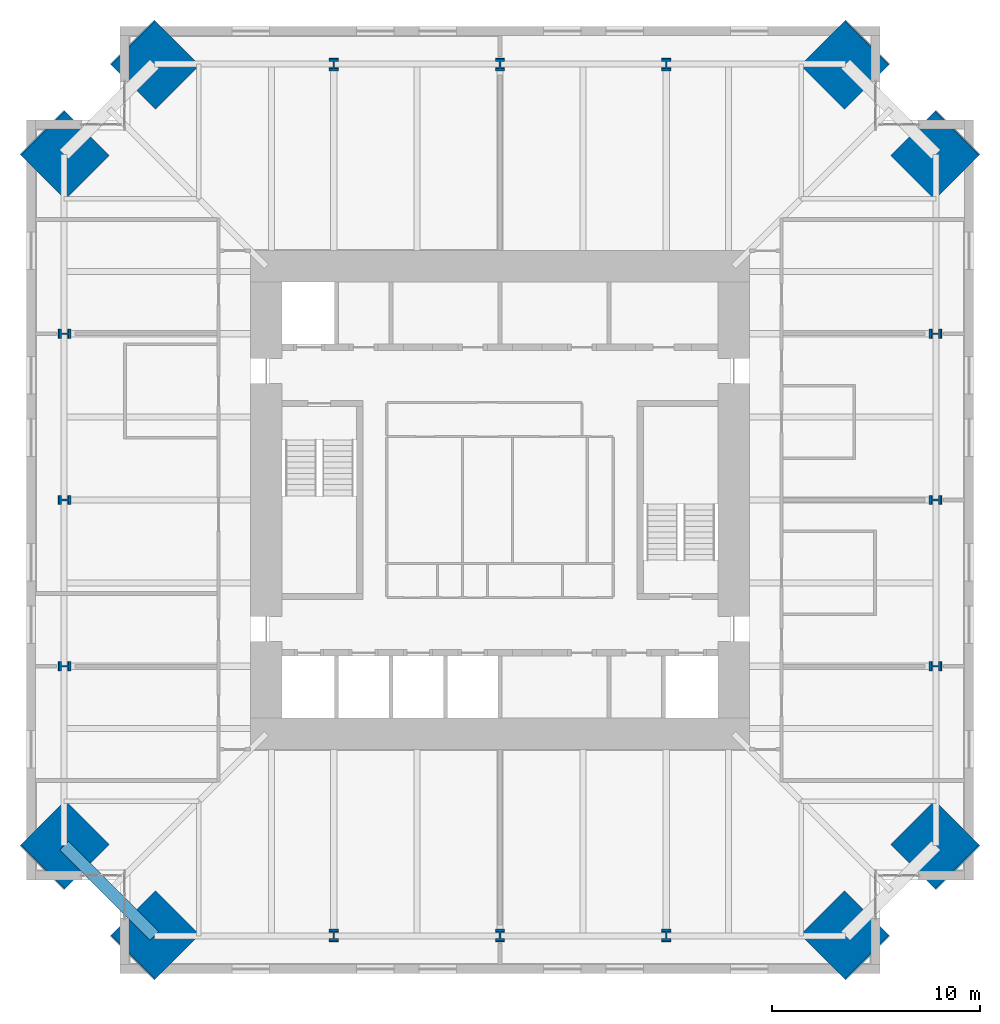
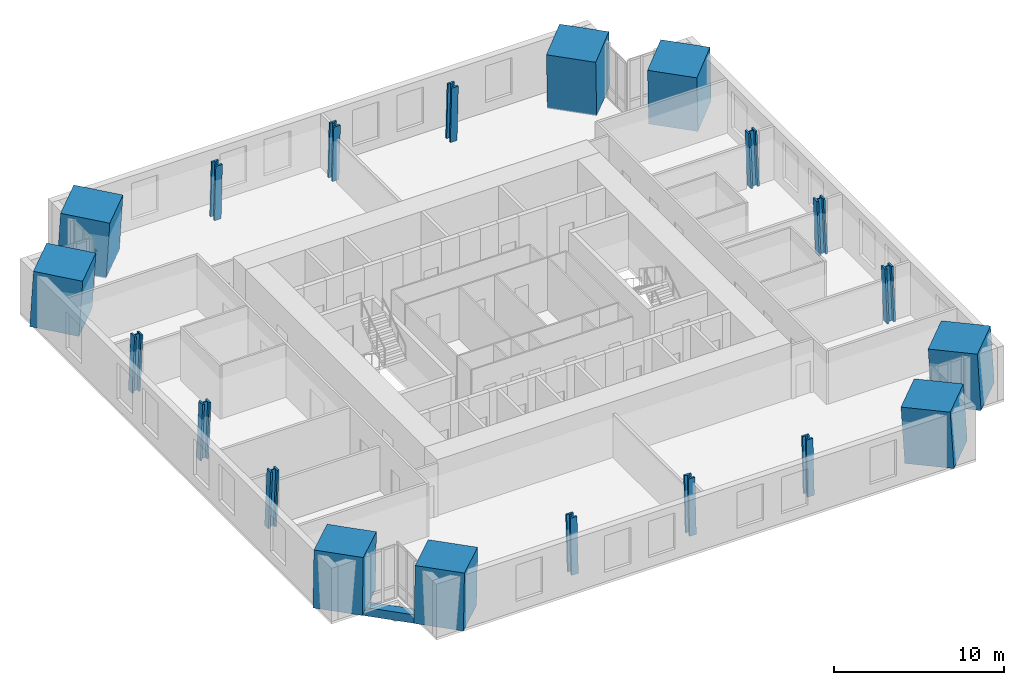
# One storey, part 1 of 15: 20 columns, 1 beam.
"""IFC4 building model written with IfcOpenShell, lengths in metres."""

import ifcopenshell
import ifcopenshell.guid

model = None  # the IFC model being written
_history = None  # IfcOwnerHistory: only IFC2X3 demands one
_inside = {}  # id of a spatial element -> (the spatial element, [elements in it])
_under = {}  # id of a project, library or spatial element -> (it, [spatial elements below it])
_declared = {}  # id of a project -> (the project, [libraries it declares])
_typed = {}  # id of a type object -> (the type object, [elements of that type])
_made_of = {}  # id of a material, layer set ... -> (it, [elements and type objects made of it])


def new_model(schema):
    """Start an empty IFC model of exactly this schema.

    Asked for "IFC4X3", IfcOpenShell would pick the latest addendum, in which some entities
    have other attributes; the version numbers below select the first issue.
    IFC2X3 requires an IfcOwnerHistory on every rooted entity: one is made here for all.
    """
    global model, _history
    if schema == "IFC4X3":
        model = ifcopenshell.file(schema_version=(4, 3, 0, 0))
    else:
        model = ifcopenshell.file(schema=schema)
    _inside.clear()
    _under.clear()
    _declared.clear()
    _typed.clear()
    _made_of.clear()
    _history = None
    if model.schema == "IFC2X3":
        org = make("IfcOrganization", Name="unknown")
        user = make(
            "IfcPersonAndOrganization",
            ThePerson=make("IfcPerson", FamilyName="unknown"),
            TheOrganization=org,
        )
        app = make(
            "IfcApplication",
            ApplicationDeveloper=org,
            Version="unknown",
            ApplicationFullName="unknown",
            ApplicationIdentifier="unknown",
        )
        _history = make(
            "IfcOwnerHistory",
            OwningUser=user,
            OwningApplication=app,
            ChangeAction="ADDED",
            CreationDate=0,
        )
    return model


def make(cls, **values):
    """One entity of the class cls with the attributes given. An attribute that is None is left unset."""
    return model.create_entity(
        cls, **{name: value for name, value in values.items() if value is not None}
    )


def rooted(cls, **values):
    """An entity with a GlobalId (a new one), such as an element, a storey or a relation."""
    return make(cls, GlobalId=ifcopenshell.guid.new(), OwnerHistory=_history, **values)


def si_unit(unit_type, name, prefix=None):
    """IfcSIUnit, for example si_unit("LENGTHUNIT", "METRE", prefix="MILLI")."""
    return make("IfcSIUnit", UnitType=unit_type, Prefix=prefix, Name=name)


def assignment(units):
    """IfcUnitAssignment: the units of a project."""
    return None if units is None else make("IfcUnitAssignment", Units=units)


def point(xyz):
    """IfcCartesianPoint."""
    return None if xyz is None else make("IfcCartesianPoint", Coordinates=xyz)


def direction(xyz):
    """IfcDirection."""
    return None if xyz is None else make("IfcDirection", DirectionRatios=xyz)


def frame(location, z_axis=None, x_axis=None):
    """IfcAxis2Placement3D, a coordinate frame: its origin and axes. An axis left out is left unset."""
    return make(
        "IfcAxis2Placement3D",
        Location=point(location),
        Axis=direction(z_axis),
        RefDirection=direction(x_axis),
    )


def frame_2d(location, x_axis=None):
    """IfcAxis2Placement2D, a coordinate frame in the plane: its origin and x axis."""
    return make(
        "IfcAxis2Placement2D", Location=point(location), RefDirection=direction(x_axis)
    )


def origin():
    """The frame at (0, 0, 0) with its axes left unset."""
    return frame((0.0, 0.0, 0.0))


def origin_2d():
    """The frame at (0, 0) in the plane with its x axis left unset."""
    return frame_2d((0.0, 0.0))


def place(relative_to, where):
    """IfcLocalPlacement: puts the frame where relative to a parent placement (None: the world)."""
    return make(
        "IfcLocalPlacement", PlacementRelTo=relative_to, RelativePlacement=where
    )


def context(
    kind, dimensions, precision=None, world=None, true_north=None, identifier=None
):
    """IfcGeometricRepresentationContext, for example the 3D "Model" context."""
    return make(
        "IfcGeometricRepresentationContext",
        ContextIdentifier=identifier,
        ContextType=kind,
        CoordinateSpaceDimension=dimensions,
        Precision=precision,
        WorldCoordinateSystem=world,
        TrueNorth=true_north,
    )


def subcontext(parent, identifier, kind, view, scale=None):
    """IfcGeometricRepresentationSubContext, for example "Body" below "Model"."""
    return make(
        "IfcGeometricRepresentationSubContext",
        ContextIdentifier=identifier,
        ContextType=kind,
        ParentContext=parent,
        TargetScale=scale,
        TargetView=view,
    )


def project(units=None, contexts=None):
    """IfcProject with its units and contexts."""
    return rooted(
        "IfcProject",
        Name="project",
        RepresentationContexts=contexts,
        UnitsInContext=assignment(units),
    )


def spatial(cls, under=None, at=None, **own):
    """A site, building, storey or space (cls), placed at a placement, below another one or the project."""
    s = rooted(cls, ObjectPlacement=at, **own)
    if under is not None:
        _under.setdefault(under.id(), (under, []))[1].append(s)
    return s


def profile(cls, at=None, kind="AREA", **sizes):
    """A parametric profile (cls). Its sizes go by their IFC names, for example OverallWidth=200.0."""
    return make(cls, ProfileType=kind, Position=at, **sizes)


def rectangle(**sizes):
    """IfcRectangleProfileDef."""
    return profile("IfcRectangleProfileDef", **sizes)


def hollow_rectangle(**sizes):
    """IfcRectangleHollowProfileDef."""
    return profile("IfcRectangleHollowProfileDef", **sizes)


def i_section(**sizes):
    """IfcIShapeProfileDef."""
    return profile("IfcIShapeProfileDef", **sizes)


def extrude(swept, where, along, depth):
    """IfcExtrudedAreaSolid: the profile swept, set in the frame where, extruded along a direction by depth."""
    return make(
        "IfcExtrudedAreaSolid",
        SweptArea=swept,
        Position=where,
        ExtrudedDirection=direction(along),
        Depth=depth,
    )


def shape(context_of_items, identifier, shape_type, items):
    """IfcShapeRepresentation: the items that make up one representation, for example the "Body"."""
    return make(
        "IfcShapeRepresentation",
        ContextOfItems=context_of_items,
        RepresentationIdentifier=identifier,
        RepresentationType=shape_type,
        Items=items,
    )


def material(Name=None, Category=None):
    """IfcMaterial."""
    return make("IfcMaterial", Name=Name, Category=Category)


def material_profile(
    of_material, cross_section, Name=None, Category=None, Priority=None
):
    """IfcMaterialProfile: a cross section and its material."""
    return make(
        "IfcMaterialProfile",
        Name=Name,
        Material=of_material,
        Profile=cross_section,
        Priority=Priority,
        Category=Category,
    )


def profile_set(profiles, Name=None, composite=None):
    """IfcMaterialProfileSet."""
    return make(
        "IfcMaterialProfileSet",
        Name=Name,
        MaterialProfiles=profiles,
        CompositeProfile=composite,
    )


def made_of(thing, what):
    """Note that an element or type object is made of a material, layer set ...; save() writes the relation."""
    if what is not None:
        _made_of.setdefault(what.id(), (what, []))[1].append(thing)
    return thing


def type_object(cls, material=None, **own):
    """A type object (cls), such as IfcWallType, which elements share."""
    return made_of(rooted(cls, **own), material)


def element(
    cls,
    number,
    at=None,
    inside=None,
    cuts=None,
    type_object=None,
    material=None,
    context=None,
    identifier="Body",
    shape_type=None,
    held_by="IfcProductDefinitionShape",
    body=None,
    shapes=None,
    **own,
):
    """One element of the class cls, such as IfcWall. Its Tag is "e" and its number.

    at: its placement. inside: the storey or other place that contains it. cuts: it is an
    opening in that element (IfcRelVoidsElement). A single representation is given by context,
    identifier, shape_type and body (its items); several are given by shapes. held_by: the class
    of the entity that holds the representations. save() writes the other relations.
    """
    e = rooted(cls, Tag="e%d" % number, ObjectPlacement=at, **own)
    if body is not None:
        shapes = [shape(context, identifier, shape_type, body)]
    if shapes is not None:
        e.Representation = make(held_by, Representations=shapes)
    if inside is not None:
        _inside.setdefault(inside.id(), (inside, []))[1].append(e)
    if cuts is not None:
        rooted(
            "IfcRelVoidsElement", RelatingBuildingElement=cuts, RelatedOpeningElement=e
        )
    if type_object is not None:
        _typed.setdefault(type_object.id(), (type_object, []))[1].append(e)
    return made_of(e, material)


def aggregate(whole, parts):
    """IfcRelAggregates: a whole, such as a stair, and the parts it consists of."""
    return rooted("IfcRelAggregates", RelatingObject=whole, RelatedObjects=parts)


def save(model, path):
    """Write the relations noted so far, then the file.

    IfcRelAggregates (storeys below a building ...), IfcRelContainedInSpatialStructure (elements
    in a storey), IfcRelDefinesByType, IfcRelAssociatesMaterial and IfcRelDeclares: one each for
    every whole, place, type object, material and project.
    """
    for whole, parts in _under.values():
        aggregate(whole, parts)
    for where, things in _inside.values():
        rooted(
            "IfcRelContainedInSpatialStructure",
            RelatedElements=things,
            RelatingStructure=where,
        )
    for kind, things in _typed.values():
        rooted("IfcRelDefinesByType", RelatedObjects=things, RelatingType=kind)
    for what, things in _made_of.values():
        rooted("IfcRelAssociatesMaterial", RelatedObjects=things, RelatingMaterial=what)
    for by, libraries in _declared.values():
        rooted("IfcRelDeclares", RelatingContext=by, RelatedDefinitions=libraries)
    model.write(path)


model = new_model("IFC4")

# Units and contexts
model_context = context("Model", 3, precision=1e-05, world=origin(), true_north=direction((0.0, 1.0)))
body_context = subcontext(model_context, "Body", "Model", "MODEL_VIEW")
ifc_project = project(units=[si_unit("LENGTHUNIT", "METRE"), si_unit("AREAUNIT", "SQUARE_METRE"), si_unit("VOLUMEUNIT", "CUBIC_METRE"), si_unit("PLANEANGLEUNIT", "RADIAN"), si_unit("MASSUNIT", "GRAM", prefix="KILO")], contexts=[model_context])

# Site, building, storey
site_placement = place(None, origin())
site = spatial("IfcSite", under=ifc_project, at=site_placement, CompositionType="ELEMENT")
building_placement = place(site_placement, origin())
building = spatial("IfcBuilding", under=site, at=building_placement, Name="Peilmerk Tower", CompositionType="ELEMENT")
storey_placement = place(building_placement, frame((0.0, 0.0, 245.800048828125)))
storey = spatial("IfcBuildingStorey", under=building, at=storey_placement, Name="L54", CompositionType="ELEMENT", Elevation=245.800048828125)

# Columns
ifc_material_1 = material(Name="Concrete C90/105", Category="concrete")
ifc_material_profile_1 = material_profile(ifc_material_1, rectangle(XDim=3.0, YDim=3.0, at=origin_2d()), Name="RC 3000x3000")
ifc_profile_set_1 = profile_set([ifc_material_profile_1], Name="Concrete C90/105")
column_type_1 = type_object("IfcColumnType", Name="MC3 3000x3000 encased mega column", PredefinedType="COLUMN", material=ifc_profile_set_1)
for number, where, z_axis, x_axis, name in (
    (1, (16.635498046875, 20.985595703125, 0.0), (-0.040278731567, -0.040278731567, 0.998376305592), (0.707106781187, -0.707106781187, 0.0), "Mega column MC3 NE_N L54"),
    (2, (20.985595703125, 16.635498046875, 0.0), (-0.040278731567, -0.040278731567, 0.998376305592), (0.707106781187, -0.707106781187, 0.0), "Mega column MC3 NE_E L54"),
    (3, (20.985595703125, -16.635498046875, 0.0), (-0.040278731567, 0.040278731567, 0.998376305592), (-0.707106781187, -0.707106781187, 0.0), "Mega column MC3 SE_E L54"),
    (4, (16.635498046875, -20.985595703125, 0.0), (-0.040278731567, 0.040278731567, 0.998376305592), (-0.707106781187, -0.707106781187, 0.0), "Mega column MC3 SE_S L54"),
    (5, (-16.635498046875, -20.985595703125, 0.0), (0.040278731567, 0.040278731567, 0.998376305592), (-0.707106781187, 0.707106781187, 0.0), "Mega column MC3 SW_S L54"),
    (6, (-20.985595703125, -16.635498046875, 0.0), (0.040278731567, 0.040278731567, 0.998376305592), (-0.707106781187, 0.707106781187, 0.0), "Mega column MC3 SW_W L54"),
    (7, (-20.985595703125, 16.635498046875, 0.0), (0.040278731567, -0.040278731567, 0.998376305592), (0.707106781187, 0.707106781187, 0.0), "Mega column MC3 NW_W L54"),
    (8, (-16.635498046875, 20.985595703125, 0.0), (0.040278731567, -0.040278731567, 0.998376305592), (0.707106781187, 0.707106781187, 0.0), "Mega column MC3 NW_N L54"),
):
    element("IfcColumn", number, at=place(storey_placement, frame(where, z_axis=z_axis, x_axis=x_axis)), inside=storey, type_object=column_type_1, Name=name, PredefinedType="COLUMN", context=body_context, shape_type="SweptSolid", body=[
        extrude(rectangle(XDim=3.0, YDim=3.0, at=origin_2d()), origin(), (0.0, 0.0, 1.0), 4.006591796875),
    ])
ifc_material_2 = material(Name="Steel S460", Category="steel")
ifc_material_profile_2 = material_profile(ifc_material_2, i_section(OverallWidth=0.4541015625, OverallDepth=0.569091796875, WebThickness=0.077880859375, FlangeThickness=0.125, at=origin_2d()), Name="HD 400x1086")
ifc_profile_set_2 = profile_set([ifc_material_profile_2], Name="Steel S460")
column_type_2 = type_object("IfcColumnType", Name="SC6 HD 400x1086 interior column", PredefinedType="COLUMN", material=ifc_profile_set_2)
for number, where, z_axis, x_axis, name in (
    (9, (0.0, 20.985595703125, 0.0), (0.0, -0.040311445006, 0.999187163349), (1.0, 0.0, 0.0), "Perimeter column N+0 L54"),
    (10, (8.0, 20.985595703125, 0.0), (0.0, -0.040311445006, 0.999187163349), (1.0, 0.0, 0.0), "Perimeter column N-8 L54"),
    (11, (-8.0, 20.985595703125, 0.0), (0.0, -0.040311445006, 0.999187163349), (1.0, 0.0, 0.0), "Perimeter column N+8 L54"),
    (12, (20.985595703125, 0.0, 0.0), (-0.040311445006, 0.0, 0.999187163349), (0.0, -1.0, 0.0), "Perimeter column E+0 L54"),
    (13, (20.985595703125, -8.0, 0.0), (-0.040311445006, 0.0, 0.999187163349), (0.0, -1.0, 0.0), "Perimeter column E-8 L54"),
    (14, (20.985595703125, 8.0, 0.0), (-0.040311445006, 0.0, 0.999187163349), (0.0, -1.0, 0.0), "Perimeter column E+8 L54"),
    (15, (0.0, -20.985595703125, 0.0), (0.0, 0.040311445006, 0.999187163349), (-1.0, 0.0, 0.0), "Perimeter column S+0 L54"),
    (16, (-8.0, -20.985595703125, 0.0), (0.0, 0.040311445006, 0.999187163349), (-1.0, 0.0, 0.0), "Perimeter column S-8 L54"),
    (17, (8.0, -20.985595703125, 0.0), (0.0, 0.040311445006, 0.999187163349), (-1.0, 0.0, 0.0), "Perimeter column S+8 L54"),
    (18, (-20.985595703125, 0.0, 0.0), (0.040311445006, 0.0, 0.999187163349), (0.0, 1.0, 0.0), "Perimeter column W+0 L54"),
    (19, (-20.985595703125, 8.0, 0.0), (0.040311445006, 0.0, 0.999187163349), (0.0, 1.0, 0.0), "Perimeter column W-8 L54"),
    (20, (-20.985595703125, -8.0, 0.0), (0.040311445006, 0.0, 0.999187163349), (0.0, 1.0, 0.0), "Perimeter column W+8 L54"),
):
    element("IfcColumn", number, at=place(storey_placement, frame(where, z_axis=z_axis, x_axis=x_axis)), inside=storey, type_object=column_type_2, Name=name, PredefinedType="COLUMN", context=body_context, shape_type="SweptSolid", body=[
        extrude(i_section(OverallWidth=0.4541015625, OverallDepth=0.569091796875, WebThickness=0.077880859375, FlangeThickness=0.125, at=origin_2d()), origin(), (0.0, 0.0, 1.0), 4.003173828125),
    ])

# Beam
ifc_material_profile_3 = material_profile(ifc_material_2, hollow_rectangle(XDim=0.60009765625, YDim=0.60009765625, WallThickness=0.06005859375, at=origin_2d()), Name="BOX 600x600x60")
ifc_profile_set_3 = profile_set([ifc_material_profile_3], Name="Steel S460")
beam_type = type_object("IfcBeamType", Name="B20 BOX 600x600x60 notch beam", PredefinedType="SPANDREL", material=ifc_profile_set_3)
beam_placement = place(storey_placement, frame((-16.635498046875, -20.985595703125, -0.469970703125), z_axis=(-0.707106781187, 0.707106781187, 0.0), x_axis=(-0.707106781187, -0.707106781187, 0.0)))
element("IfcBeam", 21, at=beam_placement, inside=storey, type_object=beam_type, Name="Notch beam L54", PredefinedType="SPANDREL", context=body_context, shape_type="SweptSolid", body=[
    extrude(hollow_rectangle(XDim=0.60009765625, YDim=0.60009765625, WallThickness=0.06005859375, at=origin_2d()), origin(), (0.0, 0.0, 1.0), 6.15185546875),
])

save(model, "model.ifc")
